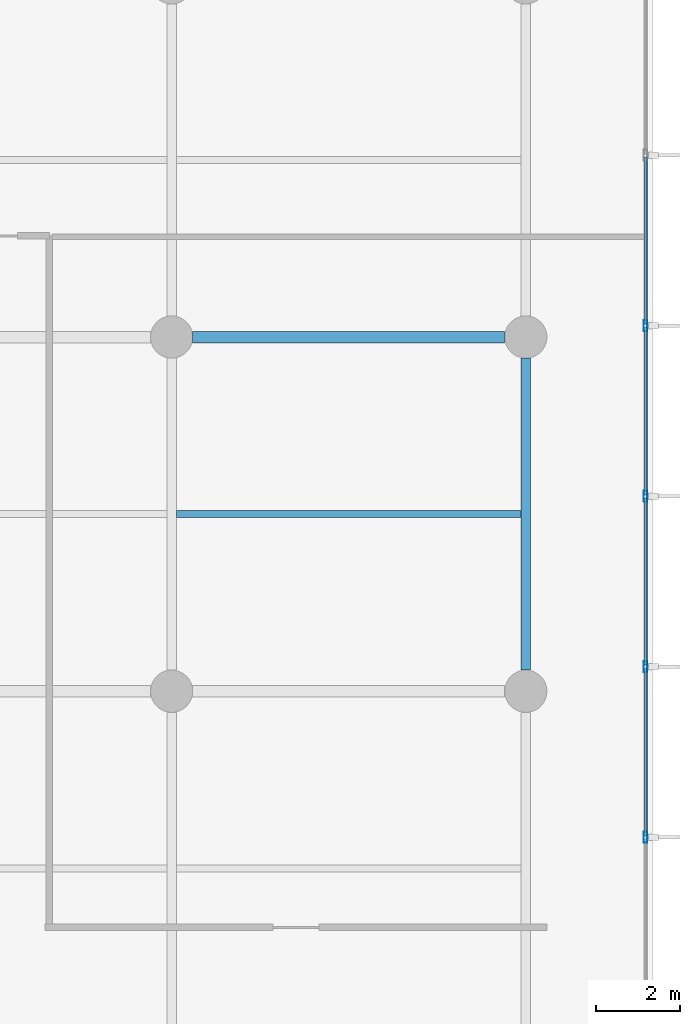
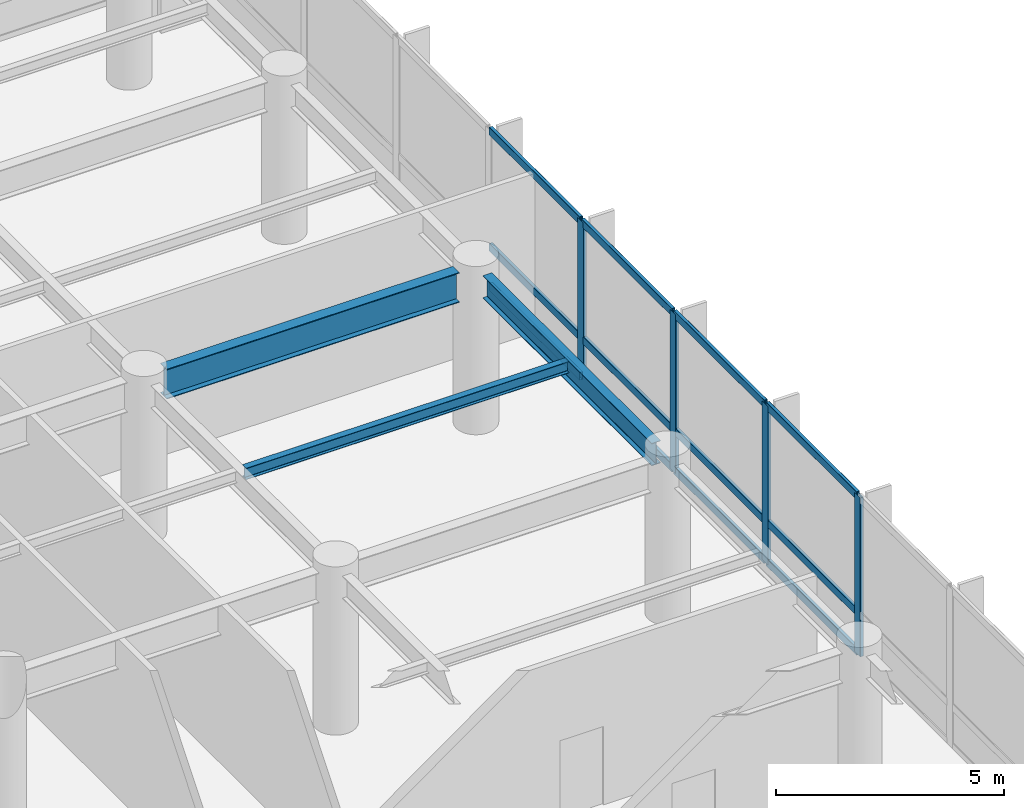
# One storey, part 9 of 26: 16 members, 3 beams, 1 element without a shape of its own.
"""IFC4 building model written with IfcOpenShell, lengths in metres."""

import ifcopenshell
import ifcopenshell.guid

model = None  # the IFC model being written
_history = None  # IfcOwnerHistory: only IFC2X3 demands one
_inside = {}  # id of a spatial element -> (the spatial element, [elements in it])
_under = {}  # id of a project, library or spatial element -> (it, [spatial elements below it])
_declared = {}  # id of a project -> (the project, [libraries it declares])
_typed = {}  # id of a type object -> (the type object, [elements of that type])
_made_of = {}  # id of a material, layer set ... -> (it, [elements and type objects made of it])


def new_model(schema):
    """Start an empty IFC model of exactly this schema.

    Asked for "IFC4X3", IfcOpenShell would pick the latest addendum, in which some entities
    have other attributes; the version numbers below select the first issue.
    IFC2X3 requires an IfcOwnerHistory on every rooted entity: one is made here for all.
    """
    global model, _history
    if schema == "IFC4X3":
        model = ifcopenshell.file(schema_version=(4, 3, 0, 0))
    else:
        model = ifcopenshell.file(schema=schema)
    _inside.clear()
    _under.clear()
    _declared.clear()
    _typed.clear()
    _made_of.clear()
    _history = None
    if model.schema == "IFC2X3":
        org = make("IfcOrganization", Name="unknown")
        user = make(
            "IfcPersonAndOrganization",
            ThePerson=make("IfcPerson", FamilyName="unknown"),
            TheOrganization=org,
        )
        app = make(
            "IfcApplication",
            ApplicationDeveloper=org,
            Version="unknown",
            ApplicationFullName="unknown",
            ApplicationIdentifier="unknown",
        )
        _history = make(
            "IfcOwnerHistory",
            OwningUser=user,
            OwningApplication=app,
            ChangeAction="ADDED",
            CreationDate=0,
        )
    return model


def make(cls, **values):
    """One entity of the class cls with the attributes given. An attribute that is None is left unset."""
    return model.create_entity(
        cls, **{name: value for name, value in values.items() if value is not None}
    )


def rooted(cls, **values):
    """An entity with a GlobalId (a new one), such as an element, a storey or a relation."""
    return make(cls, GlobalId=ifcopenshell.guid.new(), OwnerHistory=_history, **values)


def si_unit(unit_type, name, prefix=None):
    """IfcSIUnit, for example si_unit("LENGTHUNIT", "METRE", prefix="MILLI")."""
    return make("IfcSIUnit", UnitType=unit_type, Prefix=prefix, Name=name)


def assignment(units):
    """IfcUnitAssignment: the units of a project."""
    return None if units is None else make("IfcUnitAssignment", Units=units)


def point(xyz):
    """IfcCartesianPoint."""
    return None if xyz is None else make("IfcCartesianPoint", Coordinates=xyz)


def direction(xyz):
    """IfcDirection."""
    return None if xyz is None else make("IfcDirection", DirectionRatios=xyz)


def frame(location, z_axis=None, x_axis=None):
    """IfcAxis2Placement3D, a coordinate frame: its origin and axes. An axis left out is left unset."""
    return make(
        "IfcAxis2Placement3D",
        Location=point(location),
        Axis=direction(z_axis),
        RefDirection=direction(x_axis),
    )


def frame_2d(location, x_axis=None):
    """IfcAxis2Placement2D, a coordinate frame in the plane: its origin and x axis."""
    return make(
        "IfcAxis2Placement2D", Location=point(location), RefDirection=direction(x_axis)
    )


def origin():
    """The frame at (0, 0, 0) with its axes left unset."""
    return frame((0.0, 0.0, 0.0))


def origin_2d():
    """The frame at (0, 0) in the plane with its x axis left unset."""
    return frame_2d((0.0, 0.0))


def place(relative_to, where):
    """IfcLocalPlacement: puts the frame where relative to a parent placement (None: the world)."""
    return make(
        "IfcLocalPlacement", PlacementRelTo=relative_to, RelativePlacement=where
    )


def context(
    kind, dimensions, precision=None, world=None, true_north=None, identifier=None
):
    """IfcGeometricRepresentationContext, for example the 3D "Model" context."""
    return make(
        "IfcGeometricRepresentationContext",
        ContextIdentifier=identifier,
        ContextType=kind,
        CoordinateSpaceDimension=dimensions,
        Precision=precision,
        WorldCoordinateSystem=world,
        TrueNorth=true_north,
    )


def subcontext(parent, identifier, kind, view, scale=None):
    """IfcGeometricRepresentationSubContext, for example "Body" below "Model"."""
    return make(
        "IfcGeometricRepresentationSubContext",
        ContextIdentifier=identifier,
        ContextType=kind,
        ParentContext=parent,
        TargetScale=scale,
        TargetView=view,
    )


def project(units=None, contexts=None):
    """IfcProject with its units and contexts."""
    return rooted(
        "IfcProject",
        Name="project",
        RepresentationContexts=contexts,
        UnitsInContext=assignment(units),
    )


def spatial(cls, under=None, at=None, **own):
    """A site, building, storey or space (cls), placed at a placement, below another one or the project."""
    s = rooted(cls, ObjectPlacement=at, **own)
    if under is not None:
        _under.setdefault(under.id(), (under, []))[1].append(s)
    return s


def profile(cls, at=None, kind="AREA", **sizes):
    """A parametric profile (cls). Its sizes go by their IFC names, for example OverallWidth=200.0."""
    return make(cls, ProfileType=kind, Position=at, **sizes)


def hollow_rectangle(**sizes):
    """IfcRectangleHollowProfileDef."""
    return profile("IfcRectangleHollowProfileDef", **sizes)


def i_section(**sizes):
    """IfcIShapeProfileDef."""
    return profile("IfcIShapeProfileDef", **sizes)


def extrude(swept, where, along, depth):
    """IfcExtrudedAreaSolid: the profile swept, set in the frame where, extruded along a direction by depth."""
    return make(
        "IfcExtrudedAreaSolid",
        SweptArea=swept,
        Position=where,
        ExtrudedDirection=direction(along),
        Depth=depth,
    )


def shape(context_of_items, identifier, shape_type, items):
    """IfcShapeRepresentation: the items that make up one representation, for example the "Body"."""
    return make(
        "IfcShapeRepresentation",
        ContextOfItems=context_of_items,
        RepresentationIdentifier=identifier,
        RepresentationType=shape_type,
        Items=items,
    )


def material(Name=None, Category=None):
    """IfcMaterial."""
    return make("IfcMaterial", Name=Name, Category=Category)


def layer(
    of_material, thickness, ventilated=None, Name=None, Category=None, Priority=None
):
    """IfcMaterialLayer: one layer of a wall or slab, of a material (None: an air gap)."""
    return make(
        "IfcMaterialLayer",
        Material=of_material,
        LayerThickness=thickness,
        IsVentilated=ventilated,
        Name=Name,
        Category=Category,
        Priority=Priority,
    )


def layer_set(layers, Name=None):
    """IfcMaterialLayerSet."""
    return make("IfcMaterialLayerSet", MaterialLayers=layers, LayerSetName=Name)


def material_profile(
    of_material, cross_section, Name=None, Category=None, Priority=None
):
    """IfcMaterialProfile: a cross section and its material."""
    return make(
        "IfcMaterialProfile",
        Name=Name,
        Material=of_material,
        Profile=cross_section,
        Priority=Priority,
        Category=Category,
    )


def profile_set(profiles, Name=None, composite=None):
    """IfcMaterialProfileSet."""
    return make(
        "IfcMaterialProfileSet",
        Name=Name,
        MaterialProfiles=profiles,
        CompositeProfile=composite,
    )


def made_of(thing, what):
    """Note that an element or type object is made of a material, layer set ...; save() writes the relation."""
    if what is not None:
        _made_of.setdefault(what.id(), (what, []))[1].append(thing)
    return thing


def type_object(cls, material=None, **own):
    """A type object (cls), such as IfcWallType, which elements share."""
    return made_of(rooted(cls, **own), material)


def element(
    cls,
    number,
    at=None,
    inside=None,
    cuts=None,
    type_object=None,
    material=None,
    context=None,
    identifier="Body",
    shape_type=None,
    held_by="IfcProductDefinitionShape",
    body=None,
    shapes=None,
    **own,
):
    """One element of the class cls, such as IfcWall. Its Tag is "e" and its number.

    at: its placement. inside: the storey or other place that contains it. cuts: it is an
    opening in that element (IfcRelVoidsElement). A single representation is given by context,
    identifier, shape_type and body (its items); several are given by shapes. held_by: the class
    of the entity that holds the representations. save() writes the other relations.
    """
    e = rooted(cls, Tag="e%d" % number, ObjectPlacement=at, **own)
    if body is not None:
        shapes = [shape(context, identifier, shape_type, body)]
    if shapes is not None:
        e.Representation = make(held_by, Representations=shapes)
    if inside is not None:
        _inside.setdefault(inside.id(), (inside, []))[1].append(e)
    if cuts is not None:
        rooted(
            "IfcRelVoidsElement", RelatingBuildingElement=cuts, RelatedOpeningElement=e
        )
    if type_object is not None:
        _typed.setdefault(type_object.id(), (type_object, []))[1].append(e)
    return made_of(e, material)


def aggregate(whole, parts):
    """IfcRelAggregates: a whole, such as a stair, and the parts it consists of."""
    return rooted("IfcRelAggregates", RelatingObject=whole, RelatedObjects=parts)


def save(model, path):
    """Write the relations noted so far, then the file.

    IfcRelAggregates (storeys below a building ...), IfcRelContainedInSpatialStructure (elements
    in a storey), IfcRelDefinesByType, IfcRelAssociatesMaterial and IfcRelDeclares: one each for
    every whole, place, type object, material and project.
    """
    for whole, parts in _under.values():
        aggregate(whole, parts)
    for where, things in _inside.values():
        rooted(
            "IfcRelContainedInSpatialStructure",
            RelatedElements=things,
            RelatingStructure=where,
        )
    for kind, things in _typed.values():
        rooted("IfcRelDefinesByType", RelatedObjects=things, RelatingType=kind)
    for what, things in _made_of.values():
        rooted("IfcRelAssociatesMaterial", RelatedObjects=things, RelatingMaterial=what)
    for by, libraries in _declared.values():
        rooted("IfcRelDeclares", RelatingContext=by, RelatedDefinitions=libraries)
    model.write(path)


model = new_model("IFC4")

# Units and contexts
model_context = context("Model", 3, precision=1e-05, world=origin(), true_north=direction((0.0, 1.0)))
body_context = subcontext(model_context, "Body", "Model", "MODEL_VIEW")
ifc_project = project(units=[si_unit("LENGTHUNIT", "METRE"), si_unit("AREAUNIT", "SQUARE_METRE"), si_unit("VOLUMEUNIT", "CUBIC_METRE"), si_unit("PLANEANGLEUNIT", "RADIAN"), si_unit("MASSUNIT", "GRAM", prefix="KILO")], contexts=[model_context])

# Site, building, storey
site_placement = place(None, origin())
site = spatial("IfcSite", under=ifc_project, at=site_placement, CompositionType="ELEMENT")
building_placement = place(site_placement, origin())
building = spatial("IfcBuilding", under=site, at=building_placement, Name="Varnakote Quay Hospital", CompositionType="ELEMENT")
storey_placement = place(building_placement, frame((0.0, 0.0, 4.5)))
storey = spatial("IfcBuildingStorey", under=building, at=storey_placement, Name="L01", CompositionType="ELEMENT", Elevation=4.5)

# Beams
ifc_material_1 = material(Name="Structural steel AS/NZS 3679.1 Grade 350 L0 (fy 340 MPa)", Category="steel")
ifc_material_profile_1 = material_profile(ifc_material_1, i_section(OverallWidth=0.22802734375, OverallDepth=0.60205078125, WebThickness=0.010498046875, FlangeThickness=0.014892578125, FilletRadius=0.013916015625, at=origin_2d()), Name="610UB101")
ifc_profile_set_1 = profile_set([ifc_material_profile_1], Name="Structural steel AS/NZS 3679.1 Grade 350 L0 (fy 340 MPa)")
beam_type_1 = type_object("IfcBeamType", Name="BM-STL-610UB101", PredefinedType="BEAM", material=ifc_profile_set_1)
beam_1_placement = place(storey_placement, frame((84.0, 20.89990234375, 3.948974609375), z_axis=(0.0, 1.0, 0.0), x_axis=(-1.0, 0.0, 0.0)))
element("IfcBeam", 1, at=beam_1_placement, inside=storey, type_object=beam_type_1, Name="L01 Primary Tie Beam", PredefinedType="BEAM", context=body_context, shape_type="SweptSolid", body=[
    extrude(i_section(OverallWidth=0.22802734375, OverallDepth=0.60205078125, WebThickness=0.010498046875, FlangeThickness=0.014892578125, FilletRadius=0.013916015625, at=origin_2d()), origin(), (0.0, 0.0, 1.0), 7.400146484375),
])
ifc_material_2 = material(Name="Structural steel AS/NZS 3678 Grade 350 (fy 340 MPa)", Category="steel")
ifc_material_profile_2 = material_profile(ifc_material_2, i_section(OverallWidth=0.27490234375, OverallDepth=0.800048828125, WebThickness=0.010009765625, FlangeThickness=0.02001953125, at=origin_2d()), Name="800WB146")
ifc_profile_set_2 = profile_set([ifc_material_profile_2], Name="Structural steel AS/NZS 3678 Grade 350 (fy 340 MPa)")
beam_type_2 = type_object("IfcBeamType", Name="BM-STL-800WB146", PredefinedType="BEAM", material=ifc_profile_set_2)
beam_2_placement = place(storey_placement, frame((76.10009765625, 28.800048828125, 3.85009765625), z_axis=(1.0, 0.0, 0.0), x_axis=(0.0, 1.0, 0.0)))
element("IfcBeam", 2, at=beam_2_placement, inside=storey, type_object=beam_type_2, Name="L01 Primary Floor Beam", PredefinedType="BEAM", context=body_context, shape_type="SweptSolid", body=[
    extrude(i_section(OverallWidth=0.27490234375, OverallDepth=0.800048828125, WebThickness=0.010009765625, FlangeThickness=0.02001953125, at=origin_2d()), origin(), (0.0, 0.0, 1.0), 7.39990234375),
])

# Curtain wall, members
ifc_material_3 = material(Name="Anodised aluminium 6063-T6 Bronze", Category="aluminium")
ifc_layer = layer(ifc_material_3, 0.175048828125)
ifc_layer_set = layer_set([ifc_layer], Name="Anodised aluminium 6063-T6 Bronze")
curtain_wall_type = type_object("IfcCurtainWallType", Name="CW-SYS-1", PredefinedType="NOTDEFINED", material=ifc_layer_set)
curtain_wall_placement = place(storey_placement, origin())
curtain_wall = element("IfcCurtainWall", 3, at=curtain_wall_placement, inside=storey, type_object=curtain_wall_type, Name="L01 Unitised Bronze Curtain Wall 1", PredefinedType="NOTDEFINED")
ifc_material_4 = material(Name="Anodised aluminium 6063-T6 Bronze", Category="aluminium")
ifc_material_profile_3 = material_profile(ifc_material_4, hollow_rectangle(XDim=0.0849609375, YDim=0.260009765625, WallThickness=0.0048828125, InnerFilletRadius=0.0048828125, OuterFilletRadius=0.010009765625, at=origin_2d()), Name="CW-MULL-260x85")
ifc_profile_set_3 = profile_set([ifc_material_profile_3], Name="Anodised aluminium 6063-T6 Bronze")
member_type_1 = type_object("IfcMemberType", Name="CW-MULL-260x85", PredefinedType="MULLION", material=ifc_profile_set_3)
member_1_placement = place(storey_placement, frame((86.840087890625, 16.9345703125, 0.0), z_axis=(0.0, 0.0, 1.0), x_axis=(-1.0, 0.0, 0.0)))
member_1 = element("IfcMember", 4, at=member_1_placement, type_object=member_type_1, Name="-1-L01-1 mullion 5", PredefinedType="MULLION", context=body_context, shape_type="SweptSolid", body=[
    extrude(hollow_rectangle(XDim=0.0849609375, YDim=0.260009765625, WallThickness=0.0048828125, InnerFilletRadius=0.0048828125, OuterFilletRadius=0.010009765625, at=origin_2d()), origin(), (0.0, 0.0, 1.0), 4.25),
])
member_2_placement = place(storey_placement, frame((86.840087890625, 20.978271484375, 0.0), z_axis=(0.0, 0.0, 1.0), x_axis=(-1.0, 0.0, 0.0)))
member_2 = element("IfcMember", 5, at=member_2_placement, type_object=member_type_1, Name="-1-L01-1 mullion 6", PredefinedType="MULLION", context=body_context, shape_type="SweptSolid", body=[
    extrude(hollow_rectangle(XDim=0.0849609375, YDim=0.260009765625, WallThickness=0.0048828125, InnerFilletRadius=0.0048828125, OuterFilletRadius=0.010009765625, at=origin_2d()), origin(), (0.0, 0.0, 1.0), 4.25),
])
member_3_placement = place(storey_placement, frame((86.840087890625, 25.021728515625, 0.0), z_axis=(0.0, 0.0, 1.0), x_axis=(-1.0, 0.0, 0.0)))
member_3 = element("IfcMember", 6, at=member_3_placement, type_object=member_type_1, Name="-1-L01-1 mullion 7", PredefinedType="MULLION", context=body_context, shape_type="SweptSolid", body=[
    extrude(hollow_rectangle(XDim=0.0849609375, YDim=0.260009765625, WallThickness=0.0048828125, InnerFilletRadius=0.0048828125, OuterFilletRadius=0.010009765625, at=origin_2d()), origin(), (0.0, 0.0, 1.0), 4.25),
])
member_4_placement = place(storey_placement, frame((86.840087890625, 29.0654296875, 0.0), z_axis=(0.0, 0.0, 1.0), x_axis=(-1.0, 0.0, 0.0)))
member_4 = element("IfcMember", 7, at=member_4_placement, type_object=member_type_1, Name="-1-L01-1 mullion 8", PredefinedType="MULLION", context=body_context, shape_type="SweptSolid", body=[
    extrude(hollow_rectangle(XDim=0.0849609375, YDim=0.260009765625, WallThickness=0.0048828125, InnerFilletRadius=0.0048828125, OuterFilletRadius=0.010009765625, at=origin_2d()), origin(), (0.0, 0.0, 1.0), 4.25),
])
ifc_material_5 = material(Name="Anodised aluminium 6063-T6 Bronze", Category="aluminium")
ifc_material_profile_4 = material_profile(ifc_material_5, hollow_rectangle(XDim=0.0849609375, YDim=0.2099609375, WallThickness=0.00439453125, InnerFilletRadius=0.00439453125, OuterFilletRadius=0.009033203125, at=origin_2d()), Name="CW-TRAN-210x85")
ifc_profile_set_4 = profile_set([ifc_material_profile_4], Name="Anodised aluminium 6063-T6 Bronze")
member_type_2 = type_object("IfcMemberType", Name="CW-TRAN-210x85", PredefinedType="USERDEFINED", material=ifc_profile_set_4)
member_5_placement = place(storey_placement, frame((86.840087890625, 16.97705078125, 0.04248046875), z_axis=(0.0, 1.0, 0.0), x_axis=(-1.0, 0.0, 0.0)))
member_5 = element("IfcMember", 8, at=member_5_placement, type_object=member_type_2, Name="-1-L01-1 transom 5.1", ObjectType="TRANSOM", PredefinedType="USERDEFINED", context=body_context, shape_type="SweptSolid", body=[
    extrude(hollow_rectangle(XDim=0.0849609375, YDim=0.2099609375, WallThickness=0.00439453125, InnerFilletRadius=0.00439453125, OuterFilletRadius=0.009033203125, at=origin_2d()), origin(), (0.0, 0.0, 1.0), 3.958740234375),
])
member_6_placement = place(storey_placement, frame((86.840087890625, 16.97705078125, 1.10009765625), z_axis=(0.0, 1.0, 0.0), x_axis=(-1.0, 0.0, 0.0)))
member_6 = element("IfcMember", 9, at=member_6_placement, type_object=member_type_2, Name="-1-L01-1 transom 5.2", ObjectType="TRANSOM", PredefinedType="USERDEFINED", context=body_context, shape_type="SweptSolid", body=[
    extrude(hollow_rectangle(XDim=0.0849609375, YDim=0.2099609375, WallThickness=0.00439453125, InnerFilletRadius=0.00439453125, OuterFilletRadius=0.009033203125, at=origin_2d()), origin(), (0.0, 0.0, 1.0), 3.958740234375),
])
member_7_placement = place(storey_placement, frame((86.840087890625, 16.97705078125, 4.20751953125), z_axis=(0.0, 1.0, 0.0), x_axis=(-1.0, 0.0, 0.0)))
member_7 = element("IfcMember", 10, at=member_7_placement, type_object=member_type_2, Name="-1-L01-1 transom 5.3", ObjectType="TRANSOM", PredefinedType="USERDEFINED", context=body_context, shape_type="SweptSolid", body=[
    extrude(hollow_rectangle(XDim=0.0849609375, YDim=0.2099609375, WallThickness=0.00439453125, InnerFilletRadius=0.00439453125, OuterFilletRadius=0.009033203125, at=origin_2d()), origin(), (0.0, 0.0, 1.0), 3.958740234375),
])
member_8_placement = place(storey_placement, frame((86.840087890625, 21.020751953125, 0.04248046875), z_axis=(0.0, 1.0, 0.0), x_axis=(-1.0, 0.0, 0.0)))
member_8 = element("IfcMember", 11, at=member_8_placement, type_object=member_type_2, Name="-1-L01-1 transom 6.1", ObjectType="TRANSOM", PredefinedType="USERDEFINED", context=body_context, shape_type="SweptSolid", body=[
    extrude(hollow_rectangle(XDim=0.0849609375, YDim=0.2099609375, WallThickness=0.00439453125, InnerFilletRadius=0.00439453125, OuterFilletRadius=0.009033203125, at=origin_2d()), origin(), (0.0, 0.0, 1.0), 3.95849609375),
])
member_9_placement = place(storey_placement, frame((86.840087890625, 21.020751953125, 1.10009765625), z_axis=(0.0, 1.0, 0.0), x_axis=(-1.0, 0.0, 0.0)))
member_9 = element("IfcMember", 12, at=member_9_placement, type_object=member_type_2, Name="-1-L01-1 transom 6.2", ObjectType="TRANSOM", PredefinedType="USERDEFINED", context=body_context, shape_type="SweptSolid", body=[
    extrude(hollow_rectangle(XDim=0.0849609375, YDim=0.2099609375, WallThickness=0.00439453125, InnerFilletRadius=0.00439453125, OuterFilletRadius=0.009033203125, at=origin_2d()), origin(), (0.0, 0.0, 1.0), 3.95849609375),
])
member_10_placement = place(storey_placement, frame((86.840087890625, 21.020751953125, 4.20751953125), z_axis=(0.0, 1.0, 0.0), x_axis=(-1.0, 0.0, 0.0)))
member_10 = element("IfcMember", 13, at=member_10_placement, type_object=member_type_2, Name="-1-L01-1 transom 6.3", ObjectType="TRANSOM", PredefinedType="USERDEFINED", context=body_context, shape_type="SweptSolid", body=[
    extrude(hollow_rectangle(XDim=0.0849609375, YDim=0.2099609375, WallThickness=0.00439453125, InnerFilletRadius=0.00439453125, OuterFilletRadius=0.009033203125, at=origin_2d()), origin(), (0.0, 0.0, 1.0), 3.95849609375),
])
member_11_placement = place(storey_placement, frame((86.840087890625, 25.064208984375, 0.04248046875), z_axis=(0.0, 1.0, 0.0), x_axis=(-1.0, 0.0, 0.0)))
member_11 = element("IfcMember", 14, at=member_11_placement, type_object=member_type_2, Name="-1-L01-1 transom 7.1", ObjectType="TRANSOM", PredefinedType="USERDEFINED", context=body_context, shape_type="SweptSolid", body=[
    extrude(hollow_rectangle(XDim=0.0849609375, YDim=0.2099609375, WallThickness=0.00439453125, InnerFilletRadius=0.00439453125, OuterFilletRadius=0.009033203125, at=origin_2d()), origin(), (0.0, 0.0, 1.0), 3.958740234375),
])
member_12_placement = place(storey_placement, frame((86.840087890625, 25.064208984375, 1.10009765625), z_axis=(0.0, 1.0, 0.0), x_axis=(-1.0, 0.0, 0.0)))
member_12 = element("IfcMember", 15, at=member_12_placement, type_object=member_type_2, Name="-1-L01-1 transom 7.2", ObjectType="TRANSOM", PredefinedType="USERDEFINED", context=body_context, shape_type="SweptSolid", body=[
    extrude(hollow_rectangle(XDim=0.0849609375, YDim=0.2099609375, WallThickness=0.00439453125, InnerFilletRadius=0.00439453125, OuterFilletRadius=0.009033203125, at=origin_2d()), origin(), (0.0, 0.0, 1.0), 3.958740234375),
])
member_13_placement = place(storey_placement, frame((86.840087890625, 25.064208984375, 4.20751953125), z_axis=(0.0, 1.0, 0.0), x_axis=(-1.0, 0.0, 0.0)))
member_13 = element("IfcMember", 16, at=member_13_placement, type_object=member_type_2, Name="-1-L01-1 transom 7.3", ObjectType="TRANSOM", PredefinedType="USERDEFINED", context=body_context, shape_type="SweptSolid", body=[
    extrude(hollow_rectangle(XDim=0.0849609375, YDim=0.2099609375, WallThickness=0.00439453125, InnerFilletRadius=0.00439453125, OuterFilletRadius=0.009033203125, at=origin_2d()), origin(), (0.0, 0.0, 1.0), 3.958740234375),
])
member_14_placement = place(storey_placement, frame((86.840087890625, 29.10791015625, 0.04248046875), z_axis=(0.0, 1.0, 0.0), x_axis=(-1.0, 0.0, 0.0)))
member_14 = element("IfcMember", 17, at=member_14_placement, type_object=member_type_2, Name="-1-L01-1 transom 8.1", ObjectType="TRANSOM", PredefinedType="USERDEFINED", context=body_context, shape_type="SweptSolid", body=[
    extrude(hollow_rectangle(XDim=0.0849609375, YDim=0.2099609375, WallThickness=0.00439453125, InnerFilletRadius=0.00439453125, OuterFilletRadius=0.009033203125, at=origin_2d()), origin(), (0.0, 0.0, 1.0), 3.958740234375),
])
member_15_placement = place(storey_placement, frame((86.840087890625, 29.10791015625, 1.10009765625), z_axis=(0.0, 1.0, 0.0), x_axis=(-1.0, 0.0, 0.0)))
member_15 = element("IfcMember", 18, at=member_15_placement, type_object=member_type_2, Name="-1-L01-1 transom 8.2", ObjectType="TRANSOM", PredefinedType="USERDEFINED", context=body_context, shape_type="SweptSolid", body=[
    extrude(hollow_rectangle(XDim=0.0849609375, YDim=0.2099609375, WallThickness=0.00439453125, InnerFilletRadius=0.00439453125, OuterFilletRadius=0.009033203125, at=origin_2d()), origin(), (0.0, 0.0, 1.0), 3.958740234375),
])
member_16_placement = place(storey_placement, frame((86.840087890625, 29.10791015625, 4.20751953125), z_axis=(0.0, 1.0, 0.0), x_axis=(-1.0, 0.0, 0.0)))
member_16 = element("IfcMember", 19, at=member_16_placement, type_object=member_type_2, Name="-1-L01-1 transom 8.3", ObjectType="TRANSOM", PredefinedType="USERDEFINED", context=body_context, shape_type="SweptSolid", body=[
    extrude(hollow_rectangle(XDim=0.0849609375, YDim=0.2099609375, WallThickness=0.00439453125, InnerFilletRadius=0.00439453125, OuterFilletRadius=0.009033203125, at=origin_2d()), origin(), (0.0, 0.0, 1.0), 3.958740234375),
])
aggregate(curtain_wall, [member_1, member_2, member_3, member_4, member_5, member_6, member_7, member_8, member_9, member_10, member_11, member_12, member_13, member_14, member_15, member_16])

# Beam
ifc_material_6 = material(Name="Structural steel AS/NZS 3679.1 Grade 350 L0 (fy 340 MPa)", Category="steel")
ifc_material_profile_5 = material_profile(ifc_material_6, i_section(OverallWidth=0.166015625, OverallDepth=0.306884765625, WebThickness=0.006591796875, FlangeThickness=0.01171875, FilletRadius=0.011474609375, at=origin_2d()), Name="310UB46.2")
ifc_profile_set_5 = profile_set([ifc_material_profile_5], Name="Structural steel AS/NZS 3679.1 Grade 350 L0 (fy 340 MPa)")
beam_type_3 = type_object("IfcBeamType", Name="JST-STL-310UB46-2", PredefinedType="JOIST", material=ifc_profile_set_5)
beam_3_placement = place(storey_placement, frame((75.714111328125, 24.60009765625, 4.096435546875), z_axis=(1.0, 0.0, 0.0), x_axis=(0.0, 1.0, 0.0)))
element("IfcBeam", 20, at=beam_3_placement, inside=storey, type_object=beam_type_3, Name="L01 Composite Floor Joist", PredefinedType="JOIST", context=body_context, shape_type="SweptSolid", body=[
    extrude(i_section(OverallWidth=0.166015625, OverallDepth=0.306884765625, WebThickness=0.006591796875, FlangeThickness=0.01171875, FilletRadius=0.011474609375, at=origin_2d()), origin(), (0.0, 0.0, 1.0), 8.171875),
])

save(model, "model.ifc")
